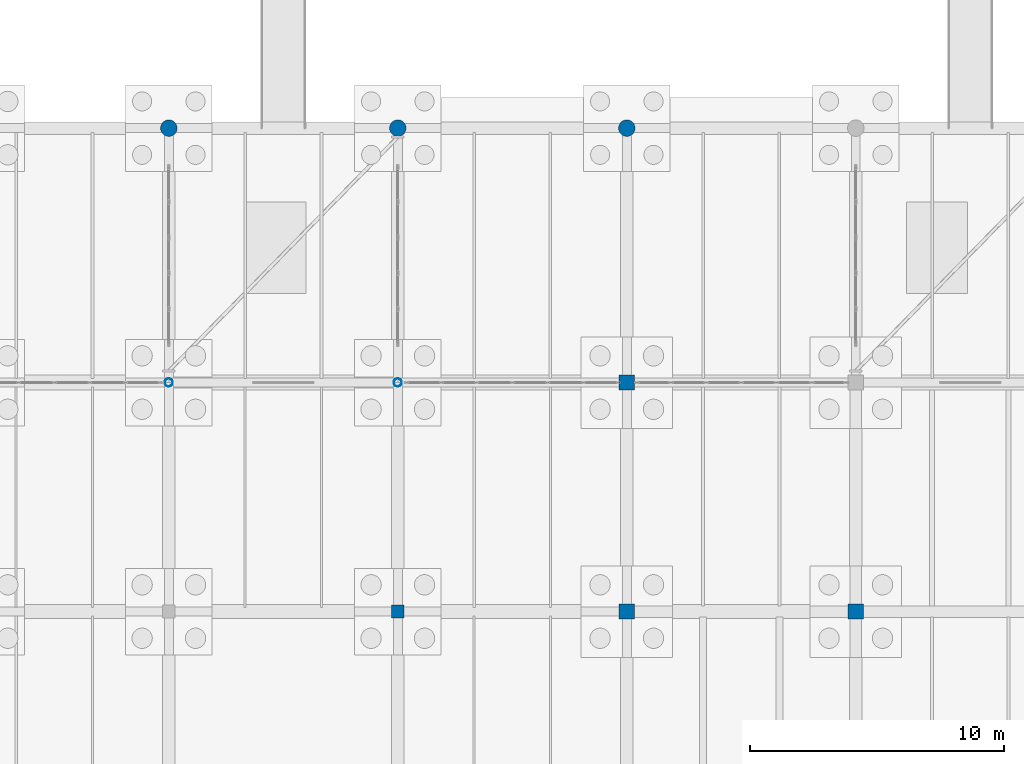
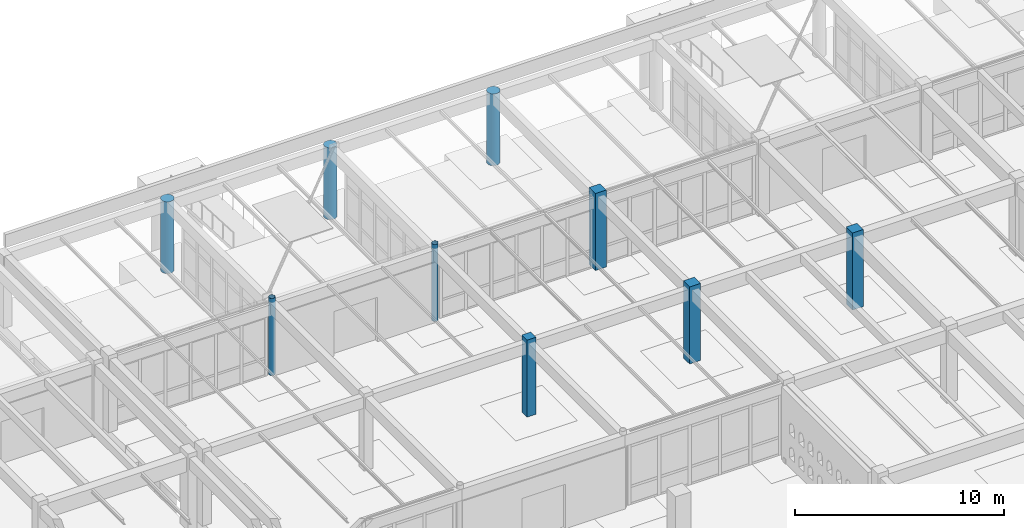
# One storey, part 21 of 186: 9 columns.
"""IFC4 building model written with IfcOpenShell, lengths in metres."""

import ifcopenshell
import ifcopenshell.guid

model = None  # the IFC model being written
_history = None  # IfcOwnerHistory: only IFC2X3 demands one
_inside = {}  # id of a spatial element -> (the spatial element, [elements in it])
_under = {}  # id of a project, library or spatial element -> (it, [spatial elements below it])
_declared = {}  # id of a project -> (the project, [libraries it declares])
_typed = {}  # id of a type object -> (the type object, [elements of that type])
_made_of = {}  # id of a material, layer set ... -> (it, [elements and type objects made of it])


def new_model(schema):
    """Start an empty IFC model of exactly this schema.

    Asked for "IFC4X3", IfcOpenShell would pick the latest addendum, in which some entities
    have other attributes; the version numbers below select the first issue.
    IFC2X3 requires an IfcOwnerHistory on every rooted entity: one is made here for all.
    """
    global model, _history
    if schema == "IFC4X3":
        model = ifcopenshell.file(schema_version=(4, 3, 0, 0))
    else:
        model = ifcopenshell.file(schema=schema)
    _inside.clear()
    _under.clear()
    _declared.clear()
    _typed.clear()
    _made_of.clear()
    _history = None
    if model.schema == "IFC2X3":
        org = make("IfcOrganization", Name="unknown")
        user = make(
            "IfcPersonAndOrganization",
            ThePerson=make("IfcPerson", FamilyName="unknown"),
            TheOrganization=org,
        )
        app = make(
            "IfcApplication",
            ApplicationDeveloper=org,
            Version="unknown",
            ApplicationFullName="unknown",
            ApplicationIdentifier="unknown",
        )
        _history = make(
            "IfcOwnerHistory",
            OwningUser=user,
            OwningApplication=app,
            ChangeAction="ADDED",
            CreationDate=0,
        )
    return model


def make(cls, **values):
    """One entity of the class cls with the attributes given. An attribute that is None is left unset."""
    return model.create_entity(
        cls, **{name: value for name, value in values.items() if value is not None}
    )


def rooted(cls, **values):
    """An entity with a GlobalId (a new one), such as an element, a storey or a relation."""
    return make(cls, GlobalId=ifcopenshell.guid.new(), OwnerHistory=_history, **values)


def si_unit(unit_type, name, prefix=None):
    """IfcSIUnit, for example si_unit("LENGTHUNIT", "METRE", prefix="MILLI")."""
    return make("IfcSIUnit", UnitType=unit_type, Prefix=prefix, Name=name)


def assignment(units):
    """IfcUnitAssignment: the units of a project."""
    return None if units is None else make("IfcUnitAssignment", Units=units)


def point(xyz):
    """IfcCartesianPoint."""
    return None if xyz is None else make("IfcCartesianPoint", Coordinates=xyz)


def direction(xyz):
    """IfcDirection."""
    return None if xyz is None else make("IfcDirection", DirectionRatios=xyz)


def frame(location, z_axis=None, x_axis=None):
    """IfcAxis2Placement3D, a coordinate frame: its origin and axes. An axis left out is left unset."""
    return make(
        "IfcAxis2Placement3D",
        Location=point(location),
        Axis=direction(z_axis),
        RefDirection=direction(x_axis),
    )


def frame_2d(location, x_axis=None):
    """IfcAxis2Placement2D, a coordinate frame in the plane: its origin and x axis."""
    return make(
        "IfcAxis2Placement2D", Location=point(location), RefDirection=direction(x_axis)
    )


def origin():
    """The frame at (0, 0, 0) with its axes left unset."""
    return frame((0.0, 0.0, 0.0))


def origin_2d():
    """The frame at (0, 0) in the plane with its x axis left unset."""
    return frame_2d((0.0, 0.0))


def place(relative_to, where):
    """IfcLocalPlacement: puts the frame where relative to a parent placement (None: the world)."""
    return make(
        "IfcLocalPlacement", PlacementRelTo=relative_to, RelativePlacement=where
    )


def context(
    kind, dimensions, precision=None, world=None, true_north=None, identifier=None
):
    """IfcGeometricRepresentationContext, for example the 3D "Model" context."""
    return make(
        "IfcGeometricRepresentationContext",
        ContextIdentifier=identifier,
        ContextType=kind,
        CoordinateSpaceDimension=dimensions,
        Precision=precision,
        WorldCoordinateSystem=world,
        TrueNorth=true_north,
    )


def subcontext(parent, identifier, kind, view, scale=None):
    """IfcGeometricRepresentationSubContext, for example "Body" below "Model"."""
    return make(
        "IfcGeometricRepresentationSubContext",
        ContextIdentifier=identifier,
        ContextType=kind,
        ParentContext=parent,
        TargetScale=scale,
        TargetView=view,
    )


def project(units=None, contexts=None):
    """IfcProject with its units and contexts."""
    return rooted(
        "IfcProject",
        Name="project",
        RepresentationContexts=contexts,
        UnitsInContext=assignment(units),
    )


def spatial(cls, under=None, at=None, **own):
    """A site, building, storey or space (cls), placed at a placement, below another one or the project."""
    s = rooted(cls, ObjectPlacement=at, **own)
    if under is not None:
        _under.setdefault(under.id(), (under, []))[1].append(s)
    return s


def profile(cls, at=None, kind="AREA", **sizes):
    """A parametric profile (cls). Its sizes go by their IFC names, for example OverallWidth=200.0."""
    return make(cls, ProfileType=kind, Position=at, **sizes)


def rectangle(**sizes):
    """IfcRectangleProfileDef."""
    return profile("IfcRectangleProfileDef", **sizes)


def circle(**sizes):
    """IfcCircleProfileDef."""
    return profile("IfcCircleProfileDef", **sizes)


def hollow_circle(**sizes):
    """IfcCircleHollowProfileDef."""
    return profile("IfcCircleHollowProfileDef", **sizes)


def extrude(swept, where, along, depth):
    """IfcExtrudedAreaSolid: the profile swept, set in the frame where, extruded along a direction by depth."""
    return make(
        "IfcExtrudedAreaSolid",
        SweptArea=swept,
        Position=where,
        ExtrudedDirection=direction(along),
        Depth=depth,
    )


def shape(context_of_items, identifier, shape_type, items):
    """IfcShapeRepresentation: the items that make up one representation, for example the "Body"."""
    return make(
        "IfcShapeRepresentation",
        ContextOfItems=context_of_items,
        RepresentationIdentifier=identifier,
        RepresentationType=shape_type,
        Items=items,
    )


def material(Name=None, Category=None):
    """IfcMaterial."""
    return make("IfcMaterial", Name=Name, Category=Category)


def material_profile(
    of_material, cross_section, Name=None, Category=None, Priority=None
):
    """IfcMaterialProfile: a cross section and its material."""
    return make(
        "IfcMaterialProfile",
        Name=Name,
        Material=of_material,
        Profile=cross_section,
        Priority=Priority,
        Category=Category,
    )


def profile_set(profiles, Name=None, composite=None):
    """IfcMaterialProfileSet."""
    return make(
        "IfcMaterialProfileSet",
        Name=Name,
        MaterialProfiles=profiles,
        CompositeProfile=composite,
    )


def made_of(thing, what):
    """Note that an element or type object is made of a material, layer set ...; save() writes the relation."""
    if what is not None:
        _made_of.setdefault(what.id(), (what, []))[1].append(thing)
    return thing


def type_object(cls, material=None, **own):
    """A type object (cls), such as IfcWallType, which elements share."""
    return made_of(rooted(cls, **own), material)


def element(
    cls,
    number,
    at=None,
    inside=None,
    cuts=None,
    type_object=None,
    material=None,
    context=None,
    identifier="Body",
    shape_type=None,
    held_by="IfcProductDefinitionShape",
    body=None,
    shapes=None,
    **own,
):
    """One element of the class cls, such as IfcWall. Its Tag is "e" and its number.

    at: its placement. inside: the storey or other place that contains it. cuts: it is an
    opening in that element (IfcRelVoidsElement). A single representation is given by context,
    identifier, shape_type and body (its items); several are given by shapes. held_by: the class
    of the entity that holds the representations. save() writes the other relations.
    """
    e = rooted(cls, Tag="e%d" % number, ObjectPlacement=at, **own)
    if body is not None:
        shapes = [shape(context, identifier, shape_type, body)]
    if shapes is not None:
        e.Representation = make(held_by, Representations=shapes)
    if inside is not None:
        _inside.setdefault(inside.id(), (inside, []))[1].append(e)
    if cuts is not None:
        rooted(
            "IfcRelVoidsElement", RelatingBuildingElement=cuts, RelatedOpeningElement=e
        )
    if type_object is not None:
        _typed.setdefault(type_object.id(), (type_object, []))[1].append(e)
    return made_of(e, material)


def aggregate(whole, parts):
    """IfcRelAggregates: a whole, such as a stair, and the parts it consists of."""
    return rooted("IfcRelAggregates", RelatingObject=whole, RelatedObjects=parts)


def save(model, path):
    """Write the relations noted so far, then the file.

    IfcRelAggregates (storeys below a building ...), IfcRelContainedInSpatialStructure (elements
    in a storey), IfcRelDefinesByType, IfcRelAssociatesMaterial and IfcRelDeclares: one each for
    every whole, place, type object, material and project.
    """
    for whole, parts in _under.values():
        aggregate(whole, parts)
    for where, things in _inside.values():
        rooted(
            "IfcRelContainedInSpatialStructure",
            RelatedElements=things,
            RelatingStructure=where,
        )
    for kind, things in _typed.values():
        rooted("IfcRelDefinesByType", RelatedObjects=things, RelatingType=kind)
    for what, things in _made_of.values():
        rooted("IfcRelAssociatesMaterial", RelatedObjects=things, RelatingMaterial=what)
    for by, libraries in _declared.values():
        rooted("IfcRelDeclares", RelatingContext=by, RelatedDefinitions=libraries)
    model.write(path)


model = new_model("IFC4")

# Units and contexts
model_context = context("Model", 3, precision=1e-05, world=origin(), true_north=direction((0.0, 1.0)))
body_context = subcontext(model_context, "Body", "Model", "MODEL_VIEW")
ifc_project = project(units=[si_unit("LENGTHUNIT", "METRE"), si_unit("AREAUNIT", "SQUARE_METRE"), si_unit("VOLUMEUNIT", "CUBIC_METRE"), si_unit("PLANEANGLEUNIT", "RADIAN"), si_unit("MASSUNIT", "GRAM", prefix="KILO")], contexts=[model_context])

# Site, building, storey
site_placement = place(None, origin())
site = spatial("IfcSite", under=ifc_project, at=site_placement, CompositionType="ELEMENT")
building_placement = place(site_placement, origin())
building = spatial("IfcBuilding", under=site, at=building_placement, Name="Ornek Quay Market", CompositionType="ELEMENT")
storey_placement = place(building_placement, origin())
storey = spatial("IfcBuildingStorey", under=building, at=storey_placement, Name="L00", CompositionType="ELEMENT", Elevation=0.0)

# Columns
ifc_material_1 = material(Name="Steel S355", Category="steel")
ifc_material_profile_1 = material_profile(ifc_material_1, hollow_circle(Radius=0.161865234375, WallThickness=0.012451171875, at=origin_2d()), Name="CHS 323.9x12.5", Category="steel")
ifc_profile_set_1 = profile_set([ifc_material_profile_1], Name="Steel S355")
column_type_1 = type_object("IfcColumnType", Name="COL-PORCH-CHS323", PredefinedType="PILASTER", material=ifc_profile_set_1)
for number, where, z_axis, x_axis, name in (
    (1, (135.0, 110.0, 0.0), (0.0, 0.0, 1.0), (1.0, 0.0, 0.0), "Column C-ST1-006"),
    (2, (144.0, 110.0, 0.0), (0.0, 0.0, 1.0), (1.0, 0.0, 0.0), "Column C-ST1-008"),
):
    element("IfcColumn", number, at=place(storey_placement, frame(where, z_axis=z_axis, x_axis=x_axis)), inside=storey, type_object=column_type_1, Name=name, PredefinedType="PILASTER", context=body_context, shape_type="SweptSolid", body=[
        extrude(hollow_circle(Radius=0.161865234375, WallThickness=0.012451171875, at=origin_2d()), origin(), (0.0, 0.0, 1.0), 4.5),
    ])
ifc_material_2 = material(Name="Concrete C40/50", Category="concrete")
ifc_material_profile_2 = material_profile(ifc_material_2, circle(Radius=0.324951171875, at=origin_2d()), Name="RC D650", Category="concrete")
ifc_profile_set_2 = profile_set([ifc_material_profile_2], Name="Concrete C40/50")
column_type_2 = type_object("IfcColumnType", Name="COL-QUAY-D650", PredefinedType="COLUMN", material=ifc_profile_set_2)
for number, where, z_axis, x_axis, name in (
    (3, (135.0, 120.0, 0.0), (0.0, 0.0, 1.0), (1.0, 0.0, 0.0), "Column C-QD1-014"),
    (4, (144.0, 120.0, 0.0), (0.0, 0.0, 1.0), (1.0, 0.0, 0.0), "Column C-QD1-015"),
    (5, (153.0, 120.0, 0.0), (0.0, 0.0, 1.0), (1.0, 0.0, 0.0), "Column C-QD1-016"),
):
    element("IfcColumn", number, at=place(storey_placement, frame(where, z_axis=z_axis, x_axis=x_axis)), inside=storey, type_object=column_type_2, Name=name, PredefinedType="COLUMN", context=body_context, shape_type="SweptSolid", body=[
        extrude(circle(Radius=0.324951171875, at=origin_2d()), origin(), (0.0, 0.0, 1.0), 4.18994140625),
    ])
ifc_material_profile_3 = material_profile(ifc_material_2, rectangle(XDim=0.5, YDim=0.5, at=origin_2d()), Name="RC 500x500", Category="concrete")
ifc_profile_set_3 = profile_set([ifc_material_profile_3], Name="Concrete C40/50")
column_type_3 = type_object("IfcColumnType", Name="COL-RC-500x500", PredefinedType="COLUMN", material=ifc_profile_set_3)
column_placement = place(storey_placement, frame((144.0, 101.0, 0.0), z_axis=(0.0, 0.0, 1.0), x_axis=(1.0, 0.0, 0.0)))
element("IfcColumn", 6, at=column_placement, inside=storey, type_object=column_type_3, Name="Column C-50-070", PredefinedType="COLUMN", context=body_context, shape_type="SweptSolid", body=[
    extrude(rectangle(XDim=0.5, YDim=0.5, at=origin_2d()), origin(), (0.0, 0.0, 1.0), 4.5),
])
ifc_material_profile_4 = material_profile(ifc_material_2, rectangle(XDim=0.60009765625, YDim=0.60009765625, at=origin_2d()), Name="RC 600x600", Category="concrete")
ifc_profile_set_4 = profile_set([ifc_material_profile_4], Name="Concrete C40/50")
column_type_4 = type_object("IfcColumnType", Name="COL-RC-600x600", PredefinedType="COLUMN", material=ifc_profile_set_4)
for number, where, z_axis, x_axis, name in (
    (7, (153.0, 101.0, 0.0), (0.0, 0.0, 1.0), (1.0, 0.0, 0.0), "Column C-60-027"),
    (8, (153.0, 110.0, 0.0), (0.0, 0.0, 1.0), (1.0, 0.0, 0.0), "Column C-60-028"),
    (9, (162.0, 101.0, 0.0), (0.0, 0.0, 1.0), (1.0, 0.0, 0.0), "Column C-60-032"),
):
    element("IfcColumn", number, at=place(storey_placement, frame(where, z_axis=z_axis, x_axis=x_axis)), inside=storey, type_object=column_type_4, Name=name, PredefinedType="COLUMN", context=body_context, shape_type="SweptSolid", body=[
        extrude(rectangle(XDim=0.60009765625, YDim=0.60009765625, at=origin_2d()), origin(), (0.0, 0.0, 1.0), 4.5),
    ])

save(model, "model.ifc")
